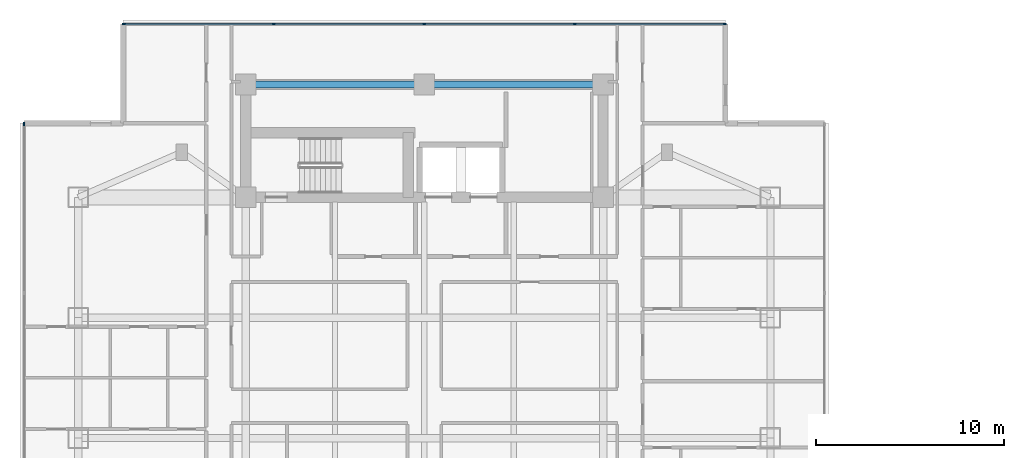
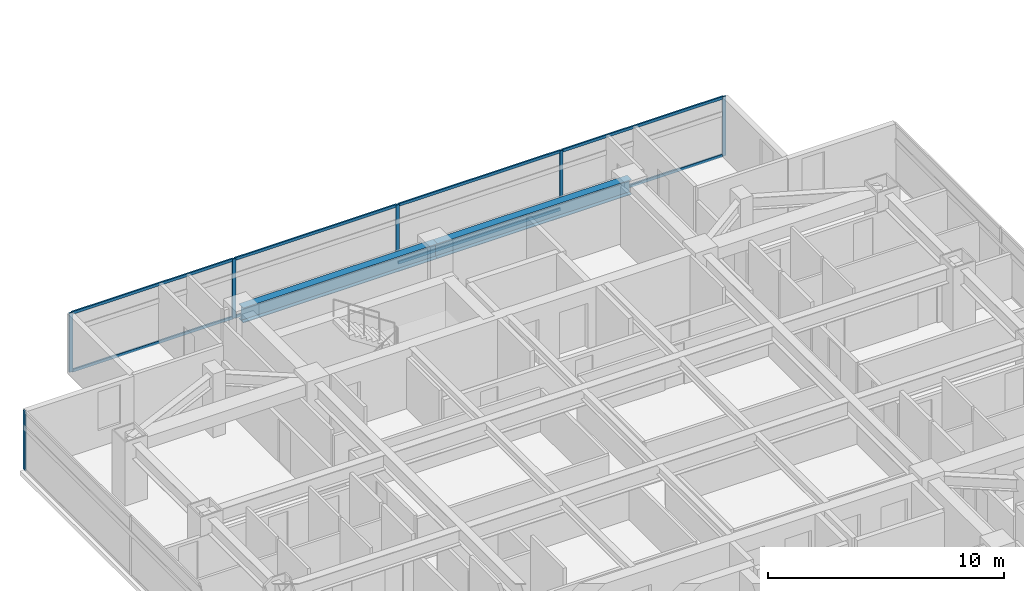
# One storey, part 6 of 24: 14 members, 2 beams, 2 elements without a shape of their own.
"""IFC4 building model written with IfcOpenShell, lengths in metres."""

from ifc_helpers import new_model, si_unit, direction, frame, origin, origin_2d, place, context, subcontext, project, spatial, rectangle, i_section, extrude, material, material_profile, profile_set, type_object, element, aggregate, save


model = new_model("IFC4")

# Units and contexts
model_context = context("Model", 3, precision=1e-05, world=origin(), true_north=direction((0.0, 1.0)))
body_context = subcontext(model_context, "Body", "Model", "MODEL_VIEW")
ifc_project = project(units=[si_unit("LENGTHUNIT", "METRE"), si_unit("AREAUNIT", "SQUARE_METRE"), si_unit("VOLUMEUNIT", "CUBIC_METRE"), si_unit("PLANEANGLEUNIT", "RADIAN"), si_unit("MASSUNIT", "GRAM", prefix="KILO")], contexts=[model_context])

# Site, building, storey
site_placement = place(None, origin())
site = spatial("IfcSite", under=ifc_project, at=site_placement, CompositionType="ELEMENT")
building_placement = place(site_placement, origin())
building = spatial("IfcBuilding", under=site, at=building_placement, Name="Mirazonda Arch Towers", CompositionType="ELEMENT")
storey_placement = place(building_placement, frame((0.0, 0.0, 134.60009765625)))
storey = spatial("IfcBuildingStorey", under=building, at=storey_placement, Name="L38", CompositionType="ELEMENT", Elevation=134.60009765625)

# Beams
ifc_material_1 = material(Name="Steel ASTM A992 Grade 50", Category="steel")
ifc_material_profile_1 = material_profile(ifc_material_1, i_section(OverallWidth=0.381103515625, OverallDepth=0.77294921875, WebThickness=0.0166015625, FlangeThickness=0.027099609375, at=origin_2d()), Name="W30X173")
ifc_profile_set_1 = profile_set([ifc_material_profile_1], Name="Steel ASTM A992 Grade 50")
beam_type = type_object("IfcBeamType", Name="BM-INT-W30X173", PredefinedType="USERDEFINED", material=ifc_profile_set_1)
for number, where, z_axis, x_axis, name in (
    (1, (11.0, 43.60009765625, 2.693359375), (1.0, 0.0, 0.0), (0.0, 1.0, 0.0), "L38 Floor Beam BM-T1-L38-CN1"),
    (2, (20.5, 43.60009765625, 2.693359375), (1.0, 0.0, 0.0), (0.0, 1.0, 0.0), "L38 Floor Beam BM-T1-L38-CN2"),
):
    element("IfcBeam", number, at=place(storey_placement, frame(where, z_axis=z_axis, x_axis=x_axis)), inside=storey, type_object=beam_type, Name=name, ObjectType="GIRDER", PredefinedType="USERDEFINED", context=body_context, shape_type="SweptSolid", body=[
        extrude(i_section(OverallWidth=0.381103515625, OverallDepth=0.77294921875, WebThickness=0.0166015625, FlangeThickness=0.027099609375, at=origin_2d()), origin(), (0.0, 0.0, 1.0), 9.5),
    ])

# Curtain wall, members
ifc_material_2 = material(Name="Anodised Aluminium and Low-E Glass", Category="aluminium")
curtain_wall_type = type_object("IfcCurtainWallType", Name="CW-HTL-UNIT", PredefinedType="NOTDEFINED", material=ifc_material_2)
curtain_wall_1_placement = place(storey_placement, origin())
curtain_wall_1 = element("IfcCurtainWall", 3, at=curtain_wall_1_placement, inside=storey, type_object=curtain_wall_type, Name="L38 T1 N Facade CW-L38-T1-N", PredefinedType="NOTDEFINED")
ifc_material_3 = material(Name="Anodised Aluminium Alloy", Category="aluminium")
ifc_material_profile_2 = material_profile(ifc_material_3, rectangle(XDim=0.074951171875, YDim=0.1650390625, at=origin_2d()), Name="ALU-MULL-75x165")
ifc_profile_set_2 = profile_set([ifc_material_profile_2], Name="Anodised Aluminium Alloy")
member_type_1 = type_object("IfcMemberType", Name="MULL-CW-HTL-UNIT", PredefinedType="MULLION", material=ifc_profile_set_2)
member_1_placement = place(storey_placement, frame((4.527587890625, 46.81005859375, 0.0), z_axis=(0.0, 0.0, 1.0), x_axis=(0.0, 1.0, 0.0)))
member_1 = element("IfcMember", 4, at=member_1_placement, type_object=member_type_1, Name="CW-112 mullion 1", PredefinedType="MULLION", context=body_context, shape_type="SweptSolid", body=[
    extrude(rectangle(XDim=0.074951171875, YDim=0.1650390625, at=origin_2d()), origin(), (0.0, 0.0, 1.0), 3.059814453125),
])
member_2_placement = place(storey_placement, frame((12.4951171875, 46.81005859375, 0.0), z_axis=(0.0, 0.0, 1.0), x_axis=(0.0, 1.0, 0.0)))
member_2 = element("IfcMember", 5, at=member_2_placement, type_object=member_type_1, Name="CW-112 mullion 2", PredefinedType="MULLION", context=body_context, shape_type="SweptSolid", body=[
    extrude(rectangle(XDim=0.074951171875, YDim=0.1650390625, at=origin_2d()), origin(), (0.0, 0.0, 1.0), 3.059814453125),
])
member_3_placement = place(storey_placement, frame((20.5, 46.81005859375, 0.0), z_axis=(0.0, 0.0, 1.0), x_axis=(0.0, 1.0, 0.0)))
member_3 = element("IfcMember", 6, at=member_3_placement, type_object=member_type_1, Name="CW-112 mullion 3", PredefinedType="MULLION", context=body_context, shape_type="SweptSolid", body=[
    extrude(rectangle(XDim=0.074951171875, YDim=0.1650390625, at=origin_2d()), origin(), (0.0, 0.0, 1.0), 3.059814453125),
])
member_4_placement = place(storey_placement, frame((28.5048828125, 46.81005859375, 0.0), z_axis=(0.0, 0.0, 1.0), x_axis=(0.0, 1.0, 0.0)))
member_4 = element("IfcMember", 7, at=member_4_placement, type_object=member_type_1, Name="CW-112 mullion 4", PredefinedType="MULLION", context=body_context, shape_type="SweptSolid", body=[
    extrude(rectangle(XDim=0.074951171875, YDim=0.1650390625, at=origin_2d()), origin(), (0.0, 0.0, 1.0), 3.059814453125),
])
member_5_placement = place(storey_placement, frame((36.472412109375, 46.81005859375, 0.0), z_axis=(0.0, 0.0, 1.0), x_axis=(0.0, 1.0, 0.0)))
member_5 = element("IfcMember", 8, at=member_5_placement, type_object=member_type_1, Name="CW-112 mullion 5", PredefinedType="MULLION", context=body_context, shape_type="SweptSolid", body=[
    extrude(rectangle(XDim=0.074951171875, YDim=0.1650390625, at=origin_2d()), origin(), (0.0, 0.0, 1.0), 3.059814453125),
])

# Curtain wall, member
curtain_wall_2_placement = place(storey_placement, origin())
curtain_wall_2 = element("IfcCurtainWall", 9, at=curtain_wall_2_placement, inside=storey, type_object=curtain_wall_type, Name="L38 T1 W Facade CW-L38-T1-W", PredefinedType="NOTDEFINED")
member_6_placement = place(storey_placement, frame((-0.780029296875, 41.50244140625, 0.0), z_axis=(0.0, 0.0, 1.0), x_axis=(1.0, 0.0, 0.0)))
member_6 = element("IfcMember", 10, at=member_6_placement, type_object=member_type_1, Name="CW-112 mullion 1", PredefinedType="MULLION", context=body_context, shape_type="SweptSolid", body=[
    extrude(rectangle(XDim=0.074951171875, YDim=0.1650390625, at=origin_2d()), origin(), (0.0, 0.0, 1.0), 3.059814453125),
])
aggregate(curtain_wall_2, [member_6])

# Member
ifc_material_profile_3 = material_profile(ifc_material_3, rectangle(XDim=0.074951171875, YDim=0.14501953125, at=origin_2d()), Name="ALU-TRAN-75x145")
ifc_profile_set_3 = profile_set([ifc_material_profile_3], Name="Anodised Aluminium Alloy")
member_type_2 = type_object("IfcMemberType", Name="TRAN-CW-HTL-UNIT", PredefinedType="USERDEFINED", material=ifc_profile_set_3)
member_7_placement = place(storey_placement, frame((4.56494140625, 46.81005859375, 0.037353515625), z_axis=(1.0, 0.0, 0.0), x_axis=(0.0, 1.0, 0.0)))
member_7 = element("IfcMember", 11, at=member_7_placement, type_object=member_type_2, Name="CW-112 transom 1.1", ObjectType="TRANSOM", PredefinedType="USERDEFINED", context=body_context, shape_type="SweptSolid", body=[
    extrude(rectangle(XDim=0.074951171875, YDim=0.14501953125, at=origin_2d()), origin(), (0.0, 0.0, 1.0), 7.892578125),
])

member_8_placement = place(storey_placement, frame((4.56494140625, 46.81005859375, 3.0224609375), z_axis=(1.0, 0.0, 0.0), x_axis=(0.0, 1.0, 0.0)))
member_8 = element("IfcMember", 12, at=member_8_placement, type_object=member_type_2, Name="CW-112 transom 1.2", ObjectType="TRANSOM", PredefinedType="USERDEFINED", context=body_context, shape_type="SweptSolid", body=[
    extrude(rectangle(XDim=0.074951171875, YDim=0.14501953125, at=origin_2d()), origin(), (0.0, 0.0, 1.0), 7.892578125),
])

member_9_placement = place(storey_placement, frame((12.532470703125, 46.81005859375, 0.037353515625), z_axis=(1.0, 0.0, 0.0), x_axis=(0.0, 1.0, 0.0)))
member_9 = element("IfcMember", 13, at=member_9_placement, type_object=member_type_2, Name="CW-112 transom 2.1", ObjectType="TRANSOM", PredefinedType="USERDEFINED", context=body_context, shape_type="SweptSolid", body=[
    extrude(rectangle(XDim=0.074951171875, YDim=0.14501953125, at=origin_2d()), origin(), (0.0, 0.0, 1.0), 7.929931640625),
])

member_10_placement = place(storey_placement, frame((12.532470703125, 46.81005859375, 3.0224609375), z_axis=(1.0, 0.0, 0.0), x_axis=(0.0, 1.0, 0.0)))
member_10 = element("IfcMember", 14, at=member_10_placement, type_object=member_type_2, Name="CW-112 transom 2.2", ObjectType="TRANSOM", PredefinedType="USERDEFINED", context=body_context, shape_type="SweptSolid", body=[
    extrude(rectangle(XDim=0.074951171875, YDim=0.14501953125, at=origin_2d()), origin(), (0.0, 0.0, 1.0), 7.929931640625),
])

member_11_placement = place(storey_placement, frame((20.53759765625, 46.81005859375, 0.037353515625), z_axis=(1.0, 0.0, 0.0), x_axis=(0.0, 1.0, 0.0)))
member_11 = element("IfcMember", 15, at=member_11_placement, type_object=member_type_2, Name="CW-112 transom 3.1", ObjectType="TRANSOM", PredefinedType="USERDEFINED", context=body_context, shape_type="SweptSolid", body=[
    extrude(rectangle(XDim=0.074951171875, YDim=0.14501953125, at=origin_2d()), origin(), (0.0, 0.0, 1.0), 7.929931640625),
])

member_12_placement = place(storey_placement, frame((20.53759765625, 46.81005859375, 3.0224609375), z_axis=(1.0, 0.0, 0.0), x_axis=(0.0, 1.0, 0.0)))
member_12 = element("IfcMember", 16, at=member_12_placement, type_object=member_type_2, Name="CW-112 transom 3.2", ObjectType="TRANSOM", PredefinedType="USERDEFINED", context=body_context, shape_type="SweptSolid", body=[
    extrude(rectangle(XDim=0.074951171875, YDim=0.14501953125, at=origin_2d()), origin(), (0.0, 0.0, 1.0), 7.929931640625),
])

member_13_placement = place(storey_placement, frame((28.54248046875, 46.81005859375, 0.037353515625), z_axis=(1.0, 0.0, 0.0), x_axis=(0.0, 1.0, 0.0)))
member_13 = element("IfcMember", 17, at=member_13_placement, type_object=member_type_2, Name="CW-112 transom 4.1", ObjectType="TRANSOM", PredefinedType="USERDEFINED", context=body_context, shape_type="SweptSolid", body=[
    extrude(rectangle(XDim=0.074951171875, YDim=0.14501953125, at=origin_2d()), origin(), (0.0, 0.0, 1.0), 7.892578125),
])

member_14_placement = place(storey_placement, frame((28.54248046875, 46.81005859375, 3.0224609375), z_axis=(1.0, 0.0, 0.0), x_axis=(0.0, 1.0, 0.0)))
member_14 = element("IfcMember", 18, at=member_14_placement, type_object=member_type_2, Name="CW-112 transom 4.2", ObjectType="TRANSOM", PredefinedType="USERDEFINED", context=body_context, shape_type="SweptSolid", body=[
    extrude(rectangle(XDim=0.074951171875, YDim=0.14501953125, at=origin_2d()), origin(), (0.0, 0.0, 1.0), 7.892578125),
])

aggregate(curtain_wall_1, [member_1, member_2, member_3, member_4, member_5, member_7, member_8, member_9, member_10, member_11, member_12, member_13, member_14])

save(model, "model.ifc")
